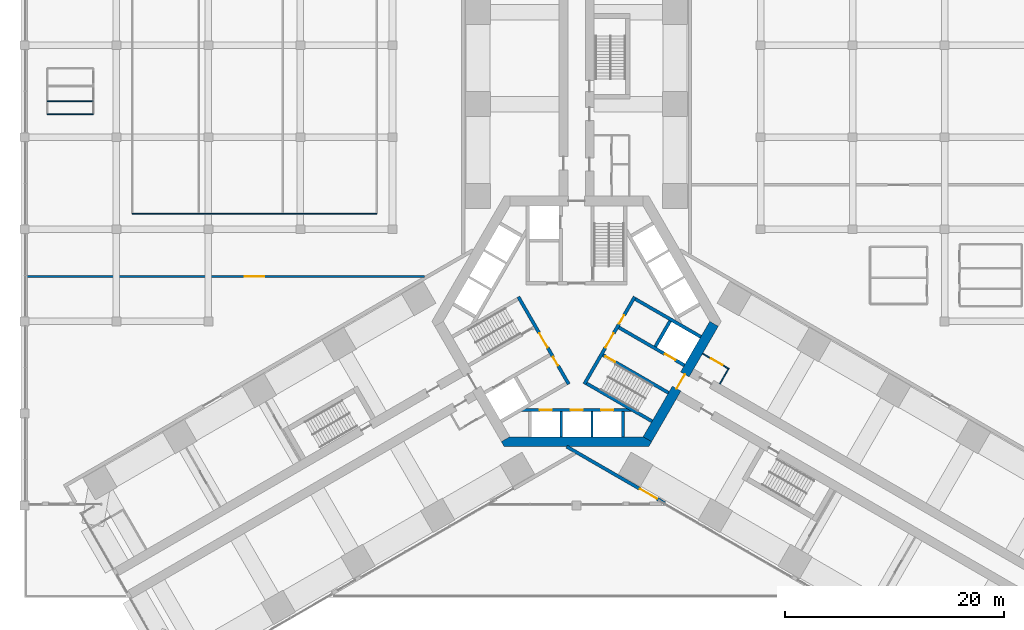
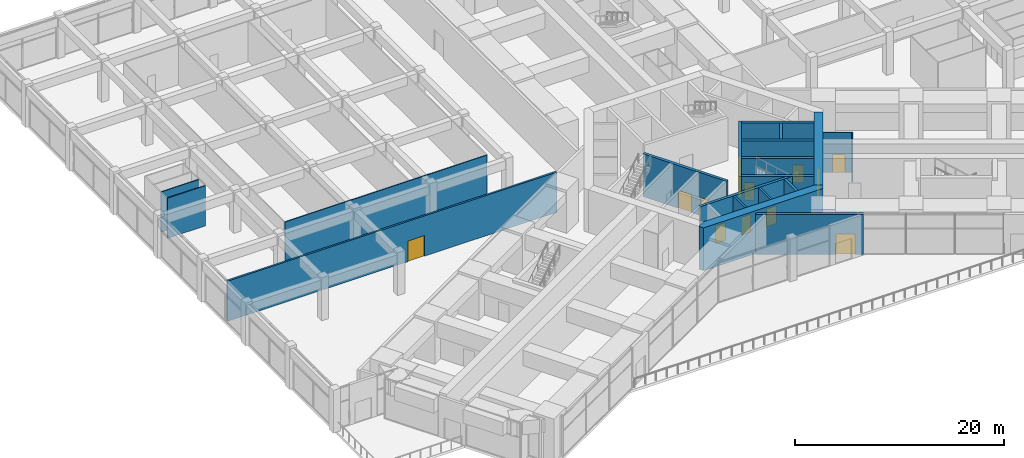
# One storey, part 28 of 34: 20 walls, 13 doors, 13 openings.
"""IFC4 building model written with IfcOpenShell, lengths in metres."""

from ifc_helpers import new_model, si_unit, direction, frame, frame_2d, origin, place, context, subcontext, project, spatial, polyline, rectangle, outline, extrude, material, layer, layer_set, type_object, element, fill, save


model = new_model("IFC4")

# Units and contexts
model_context = context("Model", 3, precision=1e-05, world=origin(), true_north=direction((0.0, 1.0)))
body_context = subcontext(model_context, "Body", "Model", "MODEL_VIEW")
ifc_project = project(units=[si_unit("LENGTHUNIT", "METRE"), si_unit("AREAUNIT", "SQUARE_METRE"), si_unit("VOLUMEUNIT", "CUBIC_METRE"), si_unit("PLANEANGLEUNIT", "RADIAN"), si_unit("MASSUNIT", "GRAM", prefix="KILO")], contexts=[model_context])

# Site, building, storey
site_placement = place(None, origin())
site = spatial("IfcSite", under=ifc_project, at=site_placement, CompositionType="ELEMENT")
building_placement = place(site_placement, origin())
building = spatial("IfcBuilding", under=site, at=building_placement, Name="Impinga Residences", CompositionType="ELEMENT")
storey_placement = place(building_placement, frame((0.0, 0.0, 16.0)))
storey = spatial("IfcBuildingStorey", under=building, at=storey_placement, Name="L03", CompositionType="ELEMENT", Elevation=16.0)

# Wall, opening, door
ifc_material_1 = material(Name="Concrete blockwork", Category="masonry")
ifc_layer_1 = layer(ifc_material_1, 0.10009765625)
ifc_layer_set_1 = layer_set([ifc_layer_1], Name="CP1 core room partition, blockwork 100")
wall_type_1 = type_object("IfcWallType", Name="CP1 core room partition, blockwork 100", PredefinedType="PARTITIONING", material=ifc_layer_set_1)
wall_1_placement = place(storey_placement, frame((11.5, -2.944580078125, 0.0), z_axis=(0.0, 0.0, 1.0), x_axis=(0.866034573852, -0.49998411664, 0.0)))
wall_1 = element("IfcWall", 1, at=wall_1_placement, inside=storey, type_object=wall_type_1, Name="Core room partition, blockwork L03-EA1:L1", PredefinedType="PARTITIONING", context=body_context, shape_type="SweptSolid", body=[
    extrude(rectangle(XDim=2.7998046875, YDim=0.10009765625, at=frame_2d((1.39990234375, 0.0))), origin(), (0.0, 0.0, 1.0), 4.699951171875),
])
opening_1_placement = place(wall_1_placement, frame((0.89990234375, 0.0, 0.0)))
opening_1 = element("IfcOpeningElement", 2, at=opening_1_placement, cuts=wall_1, Name="Opening D3", PredefinedType="OPENING", context=body_context, shape_type="SweptSolid", body=[
    extrude(rectangle(XDim=1.199951171875, YDim=2.10009765625, at=frame_2d((0.60009765625, 1.050048828125))), frame((0.0, 0.06005859375, 0.0), z_axis=(0.0, -1.0, 0.0), x_axis=(1.0, 0.0, 0.0)), (0.0, 0.0, 1.0), 0.1201171875),
])
ifc_material_2 = material(Name="Timber door set", Category="wood")
door_type_1 = type_object("IfcDoorType", Name="D3 room door, leaf and a half 1200x2100", OperationType="DOUBLE_SWING_LEFT", PredefinedType="DOOR", material=ifc_material_2)
door_1_placement = place(opening_1_placement, origin())
door_1 = element("IfcDoor", 3, at=door_1_placement, inside=storey, type_object=door_type_1, Name="Store door L03-EA1", OperationType="DOUBLE_SWING_LEFT", OverallHeight=2.10009765625, OverallWidth=1.199951171875, PredefinedType="DOOR", context=body_context, shape_type="SweptSolid", body=[
    extrude(rectangle(XDim=1.199951171875, YDim=2.10009765625, at=frame_2d((0.60009765625, 1.050048828125))), frame((0.0, 0.02490234375, 0.0), z_axis=(0.0, -1.0, 0.0), x_axis=(1.0, 0.0, 0.0)), (0.0, 0.0, 1.0), 0.050048828125),
])
fill(opening_1, door_1)

# Walls
wall_2_placement = place(storey_placement, frame((13.08154296875, -5.705078125, 0.0), z_axis=(0.0, 0.0, 1.0), x_axis=(0.500086022567, 0.865975732936, 0.0)))
element("IfcWall", 4, at=wall_2_placement, inside=storey, type_object=wall_type_1, Name="Core room partition, blockwork L03-EA1:L2", PredefinedType="PARTITIONING", context=body_context, shape_type="SweptSolid", body=[
    extrude(rectangle(XDim=1.550048828125, YDim=0.10009765625, at=frame_2d((0.77490234375, 0.0))), origin(), (0.0, 0.0, 1.0), 4.699951171875),
])
ifc_material_3 = material(Name="Gypsum board on steel studs", Category="steel")
ifc_layer_2 = layer(ifc_material_3, 0.10009765625)
ifc_layer_set_2 = layer_set([ifc_layer_2], Name="Gypsum board on steel studs")
wall_type_2 = type_object("IfcWallType", Name="IP1 partition 100", PredefinedType="PARTITIONING", material=ifc_layer_set_2)
wall_3_placement = place(storey_placement, frame((-40.56005859375, 9.840087890625, 0.0), z_axis=(0.0, 0.0, 1.0), x_axis=(1.0, 0.0, 0.0)))
element("IfcWall", 5, at=wall_3_placement, inside=storey, type_object=wall_type_2, Name="Partition L03:REG:NW:BLKS", PredefinedType="PARTITIONING", context=body_context, shape_type="SweptSolid", body=[
    extrude(rectangle(XDim=22.320068359375, YDim=0.10009765625, at=frame_2d((11.16015625, 0.0))), origin(), (0.0, 0.0, 1.0), 4.699951171875),
])
for number, where, z_axis, x_axis, name in (
    (6, (-48.300048828125, 18.89990234375, 0.0), (0.0, 0.0, 1.0), (1.0, 0.0, 0.0), "Partition L03:REG:NW:B4:BLKS"),
    (7, (-48.300048828125, 20.08642578125, 0.0), (0.0, 0.0, 1.0), (1.0, 0.0, 0.0), "Partition L03:REG:NW:B4:BLKP1"),
):
    element("IfcWall", number, at=place(storey_placement, frame(where, z_axis=z_axis, x_axis=x_axis)), inside=storey, type_object=wall_type_2, Name=name, PredefinedType="PARTITIONING", context=body_context, shape_type="SweptSolid", body=[
        extrude(rectangle(XDim=4.199951171875, YDim=0.10009765625, at=frame_2d((2.10009765625, 0.0))), origin(), (0.0, 0.0, 1.0), 4.699951171875),
    ])

# Wall, opening, door
ifc_layer_3 = layer(ifc_material_1, 0.199951171875)
ifc_layer_set_3 = layer_set([ifc_layer_3], Name="PW2 podium compartment wall 200")
wall_type_3 = type_object("IfcWallType", Name="PW2 podium compartment wall 200", PredefinedType="SOLIDWALL", material=ifc_layer_set_3)
wall_4_placement = place(storey_placement, frame((-50.20703125, 4.10595703125, 0.0), z_axis=(0.0, 0.0, 1.0), x_axis=(1.0, 0.0, 0.0)))
wall_4 = element("IfcWall", 8, at=wall_4_placement, inside=storey, type_object=wall_type_3, Name="Podium compartment wall L03:REG:NW:SPLIT", PredefinedType="SOLIDWALL", context=body_context, shape_type="SweptSolid", body=[
    extrude(rectangle(XDim=36.31884765625, YDim=0.199951171875, at=frame_2d((18.159423828125, 0.0))), origin(), (0.0, 0.0, 1.0), 4.699951171875),
])
opening_2_placement = place(wall_4_placement, frame((19.906982421875, 0.0, 0.0)))
opening_2 = element("IfcOpeningElement", 9, at=opening_2_placement, cuts=wall_4, Name="Opening D7", PredefinedType="OPENING", context=body_context, shape_type="SweptSolid", body=[
    extrude(rectangle(XDim=1.800048828125, YDim=2.39990234375, at=frame_2d((0.89990234375, 1.199951171875))), frame((0.0, 0.10986328125, 0.0), z_axis=(0.0, -1.0, 0.0), x_axis=(1.0, 0.0, 0.0)), (0.0, 0.0, 1.0), 0.219970703125),
])
door_type_2 = type_object("IfcDoorType", Name="D7 podium door pair 1800x2400", OperationType="DOUBLE_DOOR_DOUBLE_SWING", PredefinedType="DOOR", material=ifc_material_2)
door_2_placement = place(opening_2_placement, origin())
door_2 = element("IfcDoor", 10, at=door_2_placement, inside=storey, type_object=door_type_2, Name="Double door Games room", OperationType="DOUBLE_DOOR_DOUBLE_SWING", OverallHeight=2.39990234375, OverallWidth=1.800048828125, PredefinedType="DOOR", context=body_context, shape_type="SweptSolid", body=[
    extrude(rectangle(XDim=1.800048828125, YDim=2.39990234375, at=frame_2d((0.89990234375, 1.199951171875))), frame((0.0, 0.02490234375, 0.0), z_axis=(0.0, -1.0, 0.0), x_axis=(1.0, 0.0, 0.0)), (0.0, 0.0, 1.0), 0.050048828125),
])
fill(opening_2, door_2)

ifc_layer_4 = layer(ifc_material_1, 0.300048828125)
ifc_layer_set_4 = layer_set([ifc_layer_4], Name="PW3 podium wall on the wing face 300")
wall_type_4 = type_object("IfcWallType", Name="PW3 podium wall on the wing face 300", PredefinedType="SOLIDWALL", material=ifc_layer_set_4)
wall_5_placement = place(storey_placement, frame((-0.89990234375, -11.431640625, 0.0), z_axis=(0.0, 0.0, 1.0), x_axis=(0.866022359356, -0.500005273068, 0.0)))
wall_5 = element("IfcWall", 11, at=wall_5_placement, inside=storey, type_object=wall_type_4, Name="Podium wall on the wing face L03:SIDE:EF0", PredefinedType="SOLIDWALL", context=body_context, shape_type="SweptSolid", body=[
    extrude(rectangle(XDim=10.3369140625, YDim=0.300048828125, at=frame_2d((5.16845703125, 0.0))), origin(), (0.0, 0.0, 1.0), 4.699951171875),
])
opening_3_placement = place(wall_5_placement, frame((7.717041015625, 0.0, 0.0)))
opening_3 = element("IfcOpeningElement", 12, at=opening_3_placement, cuts=wall_5, Name="Opening D7", PredefinedType="OPENING", context=body_context, shape_type="SweptSolid", body=[
    extrude(rectangle(XDim=1.800048828125, YDim=2.39990234375, at=frame_2d((0.89990234375, 1.199951171875))), frame((0.0, 0.159912109375, 0.0), z_axis=(0.0, -1.0, 0.0), x_axis=(1.0, 0.0, 0.0)), (0.0, 0.0, 1.0), 0.320068359375),
])
door_3_placement = place(opening_3_placement, origin())
door_3 = element("IfcDoor", 13, at=door_3_placement, inside=storey, type_object=door_type_2, Name="Double door EF", OperationType="DOUBLE_DOOR_DOUBLE_SWING", OverallHeight=2.39990234375, OverallWidth=1.800048828125, PredefinedType="DOOR", context=body_context, shape_type="SweptSolid", body=[
    extrude(rectangle(XDim=1.800048828125, YDim=2.39990234375, at=frame_2d((0.89990234375, 1.199951171875))), frame((0.0, 0.02490234375, 0.0), z_axis=(0.0, -1.0, 0.0), x_axis=(1.0, 0.0, 0.0)), (0.0, 0.0, 1.0), 0.050048828125),
])
fill(opening_3, door_3)

ifc_material_4 = material(Name="Concrete C70/85", Category="concrete")
ifc_layer_5 = layer(ifc_material_4, 0.89990234375)
ifc_layer_set_5 = layer_set([ifc_layer_5], Name="Concrete C70/85")
wall_type_5 = type_object("IfcWallType", Name="SW1 core wall 900", PredefinedType="SHEAR", material=ifc_layer_set_5)
wall_6_placement = place(storey_placement, frame((12.550537109375, -0.22509765625, 0.0), z_axis=(0.0, 0.0, 1.0), x_axis=(-0.499997612506, -0.8660267822, 0.0)))
wall_6 = element("IfcWall", 14, at=wall_6_placement, inside=storey, type_object=wall_type_5, Name="Core wall SW1 E:FACE L03", PredefinedType="SHEAR", context=body_context, shape_type="SweptSolid", body=[
    extrude(rectangle(XDim=12.16064453125, YDim=0.89990234375, at=frame_2d((6.080322265625, 0.0))), origin(), (0.0, 0.0, 1.0), 5.0),
])
opening_4_placement = place(wall_6_placement, frame((5.330322265625, 0.0, 0.0)))
opening_4 = element("IfcOpeningElement", 15, at=opening_4_placement, cuts=wall_6, Name="Opening D4", PredefinedType="OPENING", context=body_context, shape_type="SweptSolid", body=[
    extrude(rectangle(XDim=1.5, YDim=2.10009765625, at=frame_2d((0.75, 1.050048828125))), frame((0.0, 0.4599609375, 0.0), z_axis=(0.0, -1.0, 0.0), x_axis=(1.0, 0.0, 0.0)), (0.0, 0.0, 1.0), 0.919921875),
])
door_type_3 = type_object("IfcDoorType", Name="D4 lobby door pair 1500x2100", OperationType="DOUBLE_DOOR_DOUBLE_SWING", PredefinedType="DOOR", material=ifc_material_2)
door_4_placement = place(opening_4_placement, origin())
door_4 = element("IfcDoor", 16, at=door_4_placement, inside=storey, type_object=door_type_3, Name="Lobby door E", OperationType="DOUBLE_DOOR_DOUBLE_SWING", OverallHeight=2.10009765625, OverallWidth=1.5, PredefinedType="DOOR", context=body_context, shape_type="SweptSolid", body=[
    extrude(rectangle(XDim=1.5, YDim=2.10009765625, at=frame_2d((0.75, 1.050048828125))), frame((0.0, 0.02490234375, 0.0), z_axis=(0.0, -1.0, 0.0), x_axis=(1.0, 0.0, 0.0)), (0.0, 0.0, 1.0), 0.050048828125),
])
fill(opening_4, door_4)

# Wall
wall_7_placement = place(storey_placement, origin())
element("IfcWall", 17, at=wall_7_placement, inside=storey, type_object=wall_type_5, Name="Core wall SW1 N:EXPOSED L03", PredefinedType="SHEAR", context=body_context, shape_type="SweptSolid", body=[
    extrude(outline(polyline([(-6.60009765625, -11.431640625), (6.60009765625, -11.431640625), (6.85986328125, -10.9814453125), (6.080322265625, -10.531494140625), (-6.080322265625, -10.531494140625), (-6.85986328125, -10.9814453125), (-6.60009765625, -11.431640625)])), origin(), (0.0, 0.0, 1.0), 5.0),
])

# Wall, openings, doors
ifc_layer_6 = layer(ifc_material_4, 0.300048828125)
ifc_layer_set_6 = layer_set([ifc_layer_6], Name="Concrete C70/85")
wall_type_6 = type_object("IfcWallType", Name="SW5 core inner wall, stairs, shafts and lobbies 300", PredefinedType="SHEAR", material=ifc_layer_set_6)
wall_8_placement = place(storey_placement, frame((-0.7138671875, -5.7236328125, 0.0), z_axis=(0.0, 0.0, 1.0), x_axis=(-0.499995050369, 0.866028261437, 0.0)))
wall_8 = element("IfcWall", 18, at=wall_8_placement, inside=storey, type_object=wall_type_6, Name="Core wall SW5 W:ZONE L03", PredefinedType="SHEAR", context=body_context, shape_type="SweptSolid", body=[
    extrude(rectangle(XDim=9.19970703125, YDim=0.300048828125, at=frame_2d((4.599853515625, 0.0))), origin(), (0.0, 0.0, 1.0), 5.0),
])
opening_5_placement = place(wall_8_placement, frame((3.85009765625, 0.0, 0.0)))
opening_5 = element("IfcOpeningElement", 19, at=opening_5_placement, cuts=wall_8, Name="Opening D4", PredefinedType="OPENING", context=body_context, shape_type="SweptSolid", body=[
    extrude(rectangle(XDim=1.5, YDim=2.10009765625, at=frame_2d((0.75, 1.050048828125))), frame((0.0, 0.159912109375, 0.0), z_axis=(0.0, -1.0, 0.0), x_axis=(1.0, 0.0, 0.0)), (0.0, 0.0, 1.0), 0.320068359375),
])
opening_6_placement = place(wall_8_placement, frame((1.949951171875, 0.0, 0.0)))
opening_6 = element("IfcOpeningElement", 20, at=opening_6_placement, cuts=wall_8, Name="Opening D6", PredefinedType="OPENING", context=body_context, shape_type="SweptSolid", body=[
    extrude(rectangle(XDim=0.89990234375, YDim=2.10009765625, at=frame_2d((0.449951171875, 1.050048828125))), frame((0.0, 0.159912109375, 0.0), z_axis=(0.0, -1.0, 0.0), x_axis=(1.0, 0.0, 0.0)), (0.0, 0.0, 1.0), 0.320068359375),
])
door_5_placement = place(opening_5_placement, origin())
door_5 = element("IfcDoor", 21, at=door_5_placement, inside=storey, type_object=door_type_3, Name="Firefighting lobby door W", OperationType="DOUBLE_DOOR_DOUBLE_SWING", OverallHeight=2.10009765625, OverallWidth=1.5, PredefinedType="DOOR", context=body_context, shape_type="SweptSolid", body=[
    extrude(rectangle(XDim=1.5, YDim=2.10009765625, at=frame_2d((0.75, 1.050048828125))), frame((0.0, 0.02490234375, 0.0), z_axis=(0.0, -1.0, 0.0), x_axis=(1.0, 0.0, 0.0)), (0.0, 0.0, 1.0), 0.050048828125),
])
fill(opening_5, door_5)
door_type_4 = type_object("IfcDoorType", Name="D6 riser and store door 900x2100", OperationType="SINGLE_SWING_LEFT", PredefinedType="DOOR", material=ifc_material_2)
door_6_placement = place(opening_6_placement, origin())
door_6 = element("IfcDoor", 22, at=door_6_placement, inside=storey, type_object=door_type_4, Name="Riser door W", OperationType="SINGLE_SWING_LEFT", OverallHeight=2.10009765625, OverallWidth=0.89990234375, PredefinedType="DOOR", context=body_context, shape_type="SweptSolid", body=[
    extrude(rectangle(XDim=0.89990234375, YDim=2.10009765625, at=frame_2d((0.449951171875, 1.050048828125))), frame((0.0, 0.02490234375, 0.0), z_axis=(0.0, -1.0, 0.0), x_axis=(1.0, 0.0, 0.0)), (0.0, 0.0, 1.0), 0.050048828125),
])
fill(opening_6, door_6)

wall_9_placement = place(storey_placement, frame((5.313720703125, 2.24365234375, 0.0), z_axis=(0.0, 0.0, 1.0), x_axis=(-0.499995050369, -0.866028261437, 0.0)))
wall_9 = element("IfcWall", 23, at=wall_9_placement, inside=storey, type_object=wall_type_6, Name="Core wall SW5 E:ZONE L03", PredefinedType="SHEAR", context=body_context, shape_type="SweptSolid", body=[
    extrude(rectangle(XDim=9.19970703125, YDim=0.300048828125, at=frame_2d((4.599853515625, 0.0))), origin(), (0.0, 0.0, 1.0), 5.0),
])
opening_7_placement = place(wall_9_placement, frame((3.85009765625, 0.0, 0.0)))
opening_7 = element("IfcOpeningElement", 24, at=opening_7_placement, cuts=wall_9, Name="Opening D4", PredefinedType="OPENING", context=body_context, shape_type="SweptSolid", body=[
    extrude(rectangle(XDim=1.5, YDim=2.10009765625, at=frame_2d((0.75, 1.050048828125))), frame((0.0, 0.159912109375, 0.0), z_axis=(0.0, -1.0, 0.0), x_axis=(1.0, 0.0, 0.0)), (0.0, 0.0, 1.0), 0.320068359375),
])
opening_8_placement = place(wall_9_placement, frame((1.949951171875, 0.0, 0.0)))
opening_8 = element("IfcOpeningElement", 25, at=opening_8_placement, cuts=wall_9, Name="Opening D6", PredefinedType="OPENING", context=body_context, shape_type="SweptSolid", body=[
    extrude(rectangle(XDim=0.89990234375, YDim=2.10009765625, at=frame_2d((0.449951171875, 1.050048828125))), frame((0.0, 0.159912109375, 0.0), z_axis=(0.0, -1.0, 0.0), x_axis=(1.0, 0.0, 0.0)), (0.0, 0.0, 1.0), 0.320068359375),
])
door_7_placement = place(opening_7_placement, origin())
door_7 = element("IfcDoor", 26, at=door_7_placement, inside=storey, type_object=door_type_3, Name="Firefighting lobby door E", OperationType="DOUBLE_DOOR_DOUBLE_SWING", OverallHeight=2.10009765625, OverallWidth=1.5, PredefinedType="DOOR", context=body_context, shape_type="SweptSolid", body=[
    extrude(rectangle(XDim=1.5, YDim=2.10009765625, at=frame_2d((0.75, 1.050048828125))), frame((0.0, 0.02490234375, 0.0), z_axis=(0.0, -1.0, 0.0), x_axis=(1.0, 0.0, 0.0)), (0.0, 0.0, 1.0), 0.050048828125),
])
fill(opening_7, door_7)
door_8_placement = place(opening_8_placement, origin())
door_8 = element("IfcDoor", 27, at=door_8_placement, inside=storey, type_object=door_type_4, Name="Riser door E", OperationType="SINGLE_SWING_LEFT", OverallHeight=2.10009765625, OverallWidth=0.89990234375, PredefinedType="DOOR", context=body_context, shape_type="SweptSolid", body=[
    extrude(rectangle(XDim=0.89990234375, YDim=2.10009765625, at=frame_2d((0.449951171875, 1.050048828125))), frame((0.0, 0.02490234375, 0.0), z_axis=(0.0, -1.0, 0.0), x_axis=(1.0, 0.0, 0.0)), (0.0, 0.0, 1.0), 0.050048828125),
])
fill(opening_8, door_8)

# Wall, opening, door
wall_10_placement = place(storey_placement, frame((2.418701171875, -3.07080078125, 0.0), z_axis=(0.0, 0.0, 1.0), x_axis=(0.86602711848, -0.499997030048, 0.0)))
wall_10 = element("IfcWall", 28, at=wall_10_placement, inside=storey, type_object=wall_type_6, Name="Core wall SW5 E:ST-IN L03", PredefinedType="SHEAR", context=body_context, shape_type="SweptSolid", body=[
    extrude(rectangle(XDim=6.9013671875, YDim=0.300048828125, at=frame_2d((3.45068359375, 0.0))), origin(), (0.0, 0.0, 1.0), 5.0),
])
opening_9_placement = place(wall_10_placement, frame((0.25, 0.0, 0.0)))
opening_9 = element("IfcOpeningElement", 29, at=opening_9_placement, cuts=wall_10, Name="Opening D5", PredefinedType="OPENING", context=body_context, shape_type="SweptSolid", body=[
    extrude(rectangle(XDim=1.0, YDim=2.10009765625, at=frame_2d((0.5, 1.050048828125))), frame((0.0, 0.159912109375, 0.0), z_axis=(0.0, -1.0, 0.0), x_axis=(1.0, 0.0, 0.0)), (0.0, 0.0, 1.0), 0.320068359375),
])
door_type_5 = type_object("IfcDoorType", Name="D5 stair door 1000x2100", OperationType="SINGLE_SWING_LEFT", PredefinedType="DOOR", material=ifc_material_2)
door_9_placement = place(opening_9_placement, origin())
door_9 = element("IfcDoor", 30, at=door_9_placement, inside=storey, type_object=door_type_5, Name="Stair door E", OperationType="SINGLE_SWING_LEFT", OverallHeight=2.10009765625, OverallWidth=1.0, PredefinedType="DOOR", context=body_context, shape_type="SweptSolid", body=[
    extrude(rectangle(XDim=1.0, YDim=2.10009765625, at=frame_2d((0.5, 1.050048828125))), frame((0.0, 0.02490234375, 0.0), z_axis=(0.0, -1.0, 0.0), x_axis=(1.0, 0.0, 0.0)), (0.0, 0.0, 1.0), 0.050048828125),
])
fill(opening_9, door_9)

# Wall
wall_11_placement = place(storey_placement, frame((0.918701171875, -5.668701171875, 0.0), z_axis=(0.0, 0.0, 1.0), x_axis=(0.866011800373, -0.500023561059, 0.0)))
element("IfcWall", 31, at=wall_11_placement, inside=storey, type_object=wall_type_6, Name="Core wall SW5 E:ST-OUT L03", PredefinedType="SHEAR", context=body_context, shape_type="SweptSolid", body=[
    extrude(rectangle(XDim=6.901611328125, YDim=0.300048828125, at=frame_2d((3.45068359375, 0.0))), origin(), (0.0, 0.0, 1.0), 5.0),
])

# Wall, opening, door
wall_12_placement = place(storey_placement, frame((3.86865234375, -0.559326171875, 0.0), z_axis=(0.0, 0.0, 1.0), x_axis=(0.86602711848, -0.499997030048, 0.0)))
wall_12 = element("IfcWall", 32, at=wall_12_placement, inside=storey, type_object=wall_type_6, Name="Core wall SW5 E:FF-IN L03", PredefinedType="SHEAR", context=body_context, shape_type="SweptSolid", body=[
    extrude(rectangle(XDim=6.9013671875, YDim=0.300048828125, at=frame_2d((3.45068359375, 0.0))), origin(), (0.0, 0.0, 1.0), 5.0),
])
opening_10_placement = place(wall_12_placement, frame((4.85009765625, 0.0, 0.0)))
opening_10 = element("IfcOpeningElement", 33, at=opening_10_placement, cuts=wall_12, Name="Opening LD2", PredefinedType="OPENING", context=body_context, shape_type="SweptSolid", body=[
    extrude(rectangle(XDim=1.10009765625, YDim=2.10009765625, at=frame_2d((0.550048828125, 1.050048828125))), frame((0.0, 0.159912109375, 0.0), z_axis=(0.0, -1.0, 0.0), x_axis=(1.0, 0.0, 0.0)), (0.0, 0.0, 1.0), 0.320068359375),
])
ifc_material_5 = material(Name="Steel lift landing door", Category="steel")
door_type_6 = type_object("IfcDoorType", Name="LD2 firefighting lift landing door 1100x2100", OperationType="DOUBLE_DOOR_SLIDING", PredefinedType="DOOR", material=ifc_material_5)
door_10_placement = place(opening_10_placement, origin())
door_10 = element("IfcDoor", 34, at=door_10_placement, inside=storey, type_object=door_type_6, Name="Firefighting lift landing door F3", OperationType="DOUBLE_DOOR_SLIDING", OverallHeight=2.10009765625, OverallWidth=1.10009765625, PredefinedType="DOOR", context=body_context, shape_type="SweptSolid", body=[
    extrude(rectangle(XDim=1.10009765625, YDim=2.10009765625, at=frame_2d((0.550048828125, 1.050048828125))), frame((0.0, 0.02490234375, 0.0), z_axis=(0.0, -1.0, 0.0), x_axis=(1.0, 0.0, 0.0)), (0.0, 0.0, 1.0), 0.050048828125),
])
fill(opening_10, door_10)

# Walls
wall_13_placement = place(storey_placement, frame((5.36865234375, 2.038818359375, 0.0), z_axis=(0.0, 0.0, 1.0), x_axis=(0.86602711848, -0.499997030048, 0.0)))
element("IfcWall", 35, at=wall_13_placement, inside=storey, type_object=wall_type_6, Name="Core wall SW5 E:FF-OUT L03", PredefinedType="SHEAR", context=body_context, shape_type="SweptSolid", body=[
    extrude(rectangle(XDim=6.9013671875, YDim=0.300048828125, at=frame_2d((3.45068359375, 0.0))), origin(), (0.0, 0.0, 1.0), 5.0),
])
wall_14_placement = place(storey_placement, frame((8.541259765625, 0.033935546875, 0.0), z_axis=(0.0, 0.0, 1.0), x_axis=(-0.50000943426, -0.866019956843, 0.0)))
element("IfcWall", 36, at=wall_14_placement, inside=storey, type_object=wall_type_6, Name="Core wall SW5 E:FF-RS L03", PredefinedType="SHEAR", context=body_context, shape_type="SweptSolid", body=[
    extrude(rectangle(XDim=2.7001953125, YDim=0.300048828125, at=frame_2d((1.35009765625, 0.0))), origin(), (0.0, 0.0, 1.0), 5.0),
])

# Wall, openings, doors
wall_15_placement = place(storey_placement, frame((5.09765625, -8.08154296875, 0.0), z_axis=(0.0, 0.0, 1.0), x_axis=(-1.0, 0.0, 0.0)))
wall_15 = element("IfcWall", 37, at=wall_15_placement, inside=storey, type_object=wall_type_6, Name="Core wall SW5 N:BANK-FRONT L03", PredefinedType="SHEAR", context=body_context, shape_type="SweptSolid", body=[
    extrude(rectangle(XDim=10.1953125, YDim=0.300048828125, at=frame_2d((5.09765625, 0.0))), origin(), (0.0, 0.0, 1.0), 5.0),
])
opening_11_placement = place(wall_15_placement, frame((1.74755859375, 0.0, 0.0)))
opening_11 = element("IfcOpeningElement", 38, at=opening_11_placement, cuts=wall_15, Name="Opening LD1", PredefinedType="OPENING", context=body_context, shape_type="SweptSolid", body=[
    extrude(rectangle(XDim=1.10009765625, YDim=2.10009765625, at=frame_2d((0.550048828125, 1.050048828125))), frame((0.0, 0.159912109375, 0.0), z_axis=(0.0, -1.0, 0.0), x_axis=(1.0, 0.0, 0.0)), (0.0, 0.0, 1.0), 0.320068359375),
])
opening_12_placement = place(wall_15_placement, frame((4.547607421875, 0.0, 0.0)))
opening_12 = element("IfcOpeningElement", 39, at=opening_12_placement, cuts=wall_15, Name="Opening LD1", PredefinedType="OPENING", context=body_context, shape_type="SweptSolid", body=[
    extrude(rectangle(XDim=1.10009765625, YDim=2.10009765625, at=frame_2d((0.550048828125, 1.050048828125))), frame((0.0, 0.159912109375, 0.0), z_axis=(0.0, -1.0, 0.0), x_axis=(1.0, 0.0, 0.0)), (0.0, 0.0, 1.0), 0.320068359375),
])
opening_13_placement = place(wall_15_placement, frame((7.34765625, 0.0, 0.0)))
opening_13 = element("IfcOpeningElement", 40, at=opening_13_placement, cuts=wall_15, Name="Opening LD1", PredefinedType="OPENING", context=body_context, shape_type="SweptSolid", body=[
    extrude(rectangle(XDim=1.10009765625, YDim=2.10009765625, at=frame_2d((0.550048828125, 1.050048828125))), frame((0.0, 0.159912109375, 0.0), z_axis=(0.0, -1.0, 0.0), x_axis=(1.0, 0.0, 0.0)), (0.0, 0.0, 1.0), 0.320068359375),
])
door_type_7 = type_object("IfcDoorType", Name="LD1 passenger lift landing door 1100x2100", OperationType="DOUBLE_DOOR_SLIDING", PredefinedType="DOOR", material=ifc_material_5)
door_11_placement = place(opening_11_placement, origin())
door_11 = element("IfcDoor", 41, at=door_11_placement, inside=storey, type_object=door_type_7, Name="Lift landing door P1", OperationType="DOUBLE_DOOR_SLIDING", OverallHeight=2.10009765625, OverallWidth=1.10009765625, PredefinedType="DOOR", context=body_context, shape_type="SweptSolid", body=[
    extrude(rectangle(XDim=1.10009765625, YDim=2.10009765625, at=frame_2d((0.550048828125, 1.050048828125))), frame((0.0, 0.02490234375, 0.0), z_axis=(0.0, -1.0, 0.0), x_axis=(1.0, 0.0, 0.0)), (0.0, 0.0, 1.0), 0.050048828125),
])
fill(opening_11, door_11)
door_12_placement = place(opening_12_placement, origin())
door_12 = element("IfcDoor", 42, at=door_12_placement, inside=storey, type_object=door_type_7, Name="Lift landing door P2", OperationType="DOUBLE_DOOR_SLIDING", OverallHeight=2.10009765625, OverallWidth=1.10009765625, PredefinedType="DOOR", context=body_context, shape_type="SweptSolid", body=[
    extrude(rectangle(XDim=1.10009765625, YDim=2.10009765625, at=frame_2d((0.550048828125, 1.050048828125))), frame((0.0, 0.02490234375, 0.0), z_axis=(0.0, -1.0, 0.0), x_axis=(1.0, 0.0, 0.0)), (0.0, 0.0, 1.0), 0.050048828125),
])
fill(opening_12, door_12)
door_13_placement = place(opening_13_placement, origin())
door_13 = element("IfcDoor", 43, at=door_13_placement, inside=storey, type_object=door_type_7, Name="Lift landing door P3", OperationType="DOUBLE_DOOR_SLIDING", OverallHeight=2.10009765625, OverallWidth=1.10009765625, PredefinedType="DOOR", context=body_context, shape_type="SweptSolid", body=[
    extrude(rectangle(XDim=1.10009765625, YDim=2.10009765625, at=frame_2d((0.550048828125, 1.050048828125))), frame((0.0, 0.02490234375, 0.0), z_axis=(0.0, -1.0, 0.0), x_axis=(1.0, 0.0, 0.0)), (0.0, 0.0, 1.0), 0.050048828125),
])
fill(opening_13, door_13)

# Walls
wall_16_placement = place(storey_placement, frame((4.25, -8.2314453125, 0.0), z_axis=(0.0, 0.0, 1.0), x_axis=(0.0, -1.0, 0.0)))
element("IfcWall", 44, at=wall_16_placement, inside=storey, type_object=wall_type_6, Name="Core wall SW5 N:BANK-L L03", PredefinedType="SHEAR", context=body_context, shape_type="SweptSolid", body=[
    extrude(rectangle(XDim=2.300048828125, YDim=0.300048828125, at=frame_2d((1.14990234375, 0.0))), origin(), (0.0, 0.0, 1.0), 5.0),
])
ifc_layer_7 = layer(ifc_material_4, 0.199951171875)
ifc_layer_set_7 = layer_set([ifc_layer_7], Name="Concrete C70/85")
wall_type_7 = type_object("IfcWallType", Name="SW6 lift shaft divider wall 200", PredefinedType="SHEAR", material=ifc_layer_set_7)
for number, where, z_axis, x_axis, name in (
    (45, (1.39990234375, -8.2314453125, 0.0), (0.0, 0.0, 1.0), (0.0, -1.0, 0.0), "Core wall SW6 N:BANK-D1 L03"),
    (46, (-1.39990234375, -8.2314453125, 0.0), (0.0, 0.0, 1.0), (0.0, -1.0, 0.0), "Core wall SW6 N:BANK-D2 L03"),
):
    element("IfcWall", number, at=place(storey_placement, frame(where, z_axis=z_axis, x_axis=x_axis)), inside=storey, type_object=wall_type_7, Name=name, PredefinedType="SHEAR", context=body_context, shape_type="SweptSolid", body=[
        extrude(rectangle(XDim=2.300048828125, YDim=0.199951171875, at=frame_2d((1.14990234375, 0.0))), origin(), (0.0, 0.0, 1.0), 5.0),
    ])

save(model, "model.ifc")
